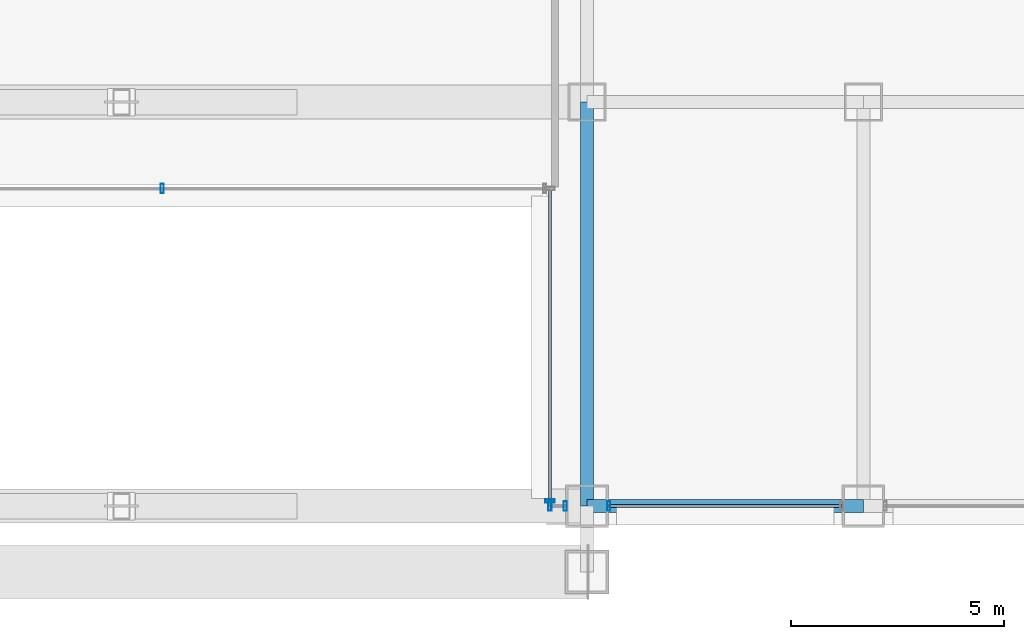
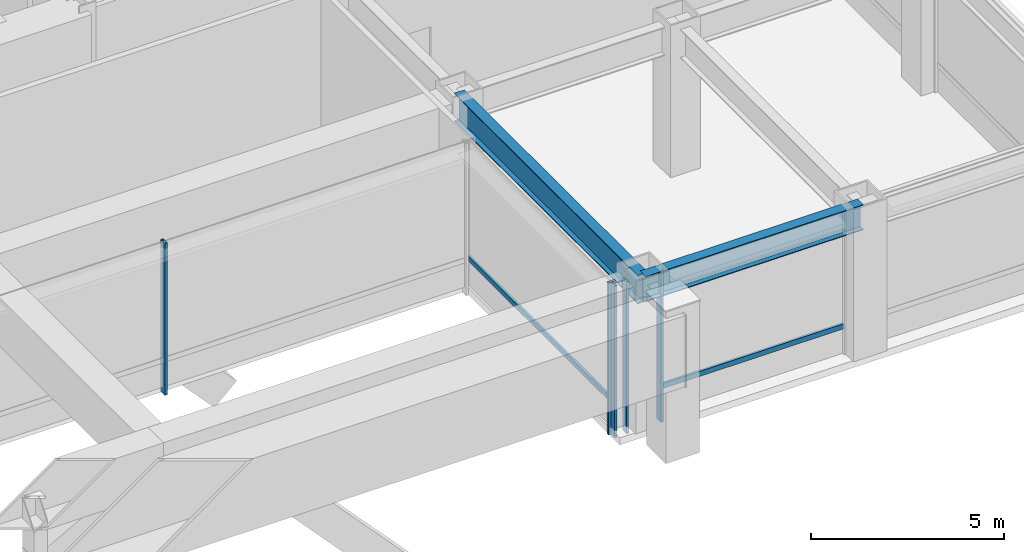
# One storey, part 8 of 37: 7 members, 2 beams, 4 elements without a shape of their own.
"""IFC4 building model written with IfcOpenShell, lengths in metres."""

import ifcopenshell
import ifcopenshell.guid

model = None  # the IFC model being written
_history = None  # IfcOwnerHistory: only IFC2X3 demands one
_inside = {}  # id of a spatial element -> (the spatial element, [elements in it])
_under = {}  # id of a project, library or spatial element -> (it, [spatial elements below it])
_declared = {}  # id of a project -> (the project, [libraries it declares])
_typed = {}  # id of a type object -> (the type object, [elements of that type])
_made_of = {}  # id of a material, layer set ... -> (it, [elements and type objects made of it])


def new_model(schema):
    """Start an empty IFC model of exactly this schema.

    Asked for "IFC4X3", IfcOpenShell would pick the latest addendum, in which some entities
    have other attributes; the version numbers below select the first issue.
    IFC2X3 requires an IfcOwnerHistory on every rooted entity: one is made here for all.
    """
    global model, _history
    if schema == "IFC4X3":
        model = ifcopenshell.file(schema_version=(4, 3, 0, 0))
    else:
        model = ifcopenshell.file(schema=schema)
    _inside.clear()
    _under.clear()
    _declared.clear()
    _typed.clear()
    _made_of.clear()
    _history = None
    if model.schema == "IFC2X3":
        org = make("IfcOrganization", Name="unknown")
        user = make(
            "IfcPersonAndOrganization",
            ThePerson=make("IfcPerson", FamilyName="unknown"),
            TheOrganization=org,
        )
        app = make(
            "IfcApplication",
            ApplicationDeveloper=org,
            Version="unknown",
            ApplicationFullName="unknown",
            ApplicationIdentifier="unknown",
        )
        _history = make(
            "IfcOwnerHistory",
            OwningUser=user,
            OwningApplication=app,
            ChangeAction="ADDED",
            CreationDate=0,
        )
    return model


def make(cls, **values):
    """One entity of the class cls with the attributes given. An attribute that is None is left unset."""
    return model.create_entity(
        cls, **{name: value for name, value in values.items() if value is not None}
    )


def rooted(cls, **values):
    """An entity with a GlobalId (a new one), such as an element, a storey or a relation."""
    return make(cls, GlobalId=ifcopenshell.guid.new(), OwnerHistory=_history, **values)


def si_unit(unit_type, name, prefix=None):
    """IfcSIUnit, for example si_unit("LENGTHUNIT", "METRE", prefix="MILLI")."""
    return make("IfcSIUnit", UnitType=unit_type, Prefix=prefix, Name=name)


def assignment(units):
    """IfcUnitAssignment: the units of a project."""
    return None if units is None else make("IfcUnitAssignment", Units=units)


def point(xyz):
    """IfcCartesianPoint."""
    return None if xyz is None else make("IfcCartesianPoint", Coordinates=xyz)


def direction(xyz):
    """IfcDirection."""
    return None if xyz is None else make("IfcDirection", DirectionRatios=xyz)


def frame(location, z_axis=None, x_axis=None):
    """IfcAxis2Placement3D, a coordinate frame: its origin and axes. An axis left out is left unset."""
    return make(
        "IfcAxis2Placement3D",
        Location=point(location),
        Axis=direction(z_axis),
        RefDirection=direction(x_axis),
    )


def frame_2d(location, x_axis=None):
    """IfcAxis2Placement2D, a coordinate frame in the plane: its origin and x axis."""
    return make(
        "IfcAxis2Placement2D", Location=point(location), RefDirection=direction(x_axis)
    )


def origin():
    """The frame at (0, 0, 0) with its axes left unset."""
    return frame((0.0, 0.0, 0.0))


def origin_2d():
    """The frame at (0, 0) in the plane with its x axis left unset."""
    return frame_2d((0.0, 0.0))


def place(relative_to, where):
    """IfcLocalPlacement: puts the frame where relative to a parent placement (None: the world)."""
    return make(
        "IfcLocalPlacement", PlacementRelTo=relative_to, RelativePlacement=where
    )


def context(
    kind, dimensions, precision=None, world=None, true_north=None, identifier=None
):
    """IfcGeometricRepresentationContext, for example the 3D "Model" context."""
    return make(
        "IfcGeometricRepresentationContext",
        ContextIdentifier=identifier,
        ContextType=kind,
        CoordinateSpaceDimension=dimensions,
        Precision=precision,
        WorldCoordinateSystem=world,
        TrueNorth=true_north,
    )


def subcontext(parent, identifier, kind, view, scale=None):
    """IfcGeometricRepresentationSubContext, for example "Body" below "Model"."""
    return make(
        "IfcGeometricRepresentationSubContext",
        ContextIdentifier=identifier,
        ContextType=kind,
        ParentContext=parent,
        TargetScale=scale,
        TargetView=view,
    )


def project(units=None, contexts=None):
    """IfcProject with its units and contexts."""
    return rooted(
        "IfcProject",
        Name="project",
        RepresentationContexts=contexts,
        UnitsInContext=assignment(units),
    )


def spatial(cls, under=None, at=None, **own):
    """A site, building, storey or space (cls), placed at a placement, below another one or the project."""
    s = rooted(cls, ObjectPlacement=at, **own)
    if under is not None:
        _under.setdefault(under.id(), (under, []))[1].append(s)
    return s


def profile(cls, at=None, kind="AREA", **sizes):
    """A parametric profile (cls). Its sizes go by their IFC names, for example OverallWidth=200.0."""
    return make(cls, ProfileType=kind, Position=at, **sizes)


def hollow_rectangle(**sizes):
    """IfcRectangleHollowProfileDef."""
    return profile("IfcRectangleHollowProfileDef", **sizes)


def i_section(**sizes):
    """IfcIShapeProfileDef."""
    return profile("IfcIShapeProfileDef", **sizes)


def extrude(swept, where, along, depth):
    """IfcExtrudedAreaSolid: the profile swept, set in the frame where, extruded along a direction by depth."""
    return make(
        "IfcExtrudedAreaSolid",
        SweptArea=swept,
        Position=where,
        ExtrudedDirection=direction(along),
        Depth=depth,
    )


def shape(context_of_items, identifier, shape_type, items):
    """IfcShapeRepresentation: the items that make up one representation, for example the "Body"."""
    return make(
        "IfcShapeRepresentation",
        ContextOfItems=context_of_items,
        RepresentationIdentifier=identifier,
        RepresentationType=shape_type,
        Items=items,
    )


def material(Name=None, Category=None):
    """IfcMaterial."""
    return make("IfcMaterial", Name=Name, Category=Category)


def layer(
    of_material, thickness, ventilated=None, Name=None, Category=None, Priority=None
):
    """IfcMaterialLayer: one layer of a wall or slab, of a material (None: an air gap)."""
    return make(
        "IfcMaterialLayer",
        Material=of_material,
        LayerThickness=thickness,
        IsVentilated=ventilated,
        Name=Name,
        Category=Category,
        Priority=Priority,
    )


def layer_set(layers, Name=None):
    """IfcMaterialLayerSet."""
    return make("IfcMaterialLayerSet", MaterialLayers=layers, LayerSetName=Name)


def material_profile(
    of_material, cross_section, Name=None, Category=None, Priority=None
):
    """IfcMaterialProfile: a cross section and its material."""
    return make(
        "IfcMaterialProfile",
        Name=Name,
        Material=of_material,
        Profile=cross_section,
        Priority=Priority,
        Category=Category,
    )


def profile_set(profiles, Name=None, composite=None):
    """IfcMaterialProfileSet."""
    return make(
        "IfcMaterialProfileSet",
        Name=Name,
        MaterialProfiles=profiles,
        CompositeProfile=composite,
    )


def made_of(thing, what):
    """Note that an element or type object is made of a material, layer set ...; save() writes the relation."""
    if what is not None:
        _made_of.setdefault(what.id(), (what, []))[1].append(thing)
    return thing


def type_object(cls, material=None, **own):
    """A type object (cls), such as IfcWallType, which elements share."""
    return made_of(rooted(cls, **own), material)


def element(
    cls,
    number,
    at=None,
    inside=None,
    cuts=None,
    type_object=None,
    material=None,
    context=None,
    identifier="Body",
    shape_type=None,
    held_by="IfcProductDefinitionShape",
    body=None,
    shapes=None,
    **own,
):
    """One element of the class cls, such as IfcWall. Its Tag is "e" and its number.

    at: its placement. inside: the storey or other place that contains it. cuts: it is an
    opening in that element (IfcRelVoidsElement). A single representation is given by context,
    identifier, shape_type and body (its items); several are given by shapes. held_by: the class
    of the entity that holds the representations. save() writes the other relations.
    """
    e = rooted(cls, Tag="e%d" % number, ObjectPlacement=at, **own)
    if body is not None:
        shapes = [shape(context, identifier, shape_type, body)]
    if shapes is not None:
        e.Representation = make(held_by, Representations=shapes)
    if inside is not None:
        _inside.setdefault(inside.id(), (inside, []))[1].append(e)
    if cuts is not None:
        rooted(
            "IfcRelVoidsElement", RelatingBuildingElement=cuts, RelatedOpeningElement=e
        )
    if type_object is not None:
        _typed.setdefault(type_object.id(), (type_object, []))[1].append(e)
    return made_of(e, material)


def aggregate(whole, parts):
    """IfcRelAggregates: a whole, such as a stair, and the parts it consists of."""
    return rooted("IfcRelAggregates", RelatingObject=whole, RelatedObjects=parts)


def save(model, path):
    """Write the relations noted so far, then the file.

    IfcRelAggregates (storeys below a building ...), IfcRelContainedInSpatialStructure (elements
    in a storey), IfcRelDefinesByType, IfcRelAssociatesMaterial and IfcRelDeclares: one each for
    every whole, place, type object, material and project.
    """
    for whole, parts in _under.values():
        aggregate(whole, parts)
    for where, things in _inside.values():
        rooted(
            "IfcRelContainedInSpatialStructure",
            RelatedElements=things,
            RelatingStructure=where,
        )
    for kind, things in _typed.values():
        rooted("IfcRelDefinesByType", RelatedObjects=things, RelatingType=kind)
    for what, things in _made_of.values():
        rooted("IfcRelAssociatesMaterial", RelatedObjects=things, RelatingMaterial=what)
    for by, libraries in _declared.values():
        rooted("IfcRelDeclares", RelatingContext=by, RelatedDefinitions=libraries)
    model.write(path)


model = new_model("IFC4")

# Units and contexts
model_context = context("Model", 3, precision=1e-05, world=origin(), true_north=direction((0.0, 1.0)))
body_context = subcontext(model_context, "Body", "Model", "MODEL_VIEW")
ifc_project = project(units=[si_unit("LENGTHUNIT", "METRE"), si_unit("AREAUNIT", "SQUARE_METRE"), si_unit("VOLUMEUNIT", "CUBIC_METRE"), si_unit("PLANEANGLEUNIT", "RADIAN"), si_unit("MASSUNIT", "GRAM", prefix="KILO")], contexts=[model_context])

# Site, building, storey
site_placement = place(None, origin())
site = spatial("IfcSite", under=ifc_project, at=site_placement, CompositionType="ELEMENT")
building_placement = place(site_placement, origin())
building = spatial("IfcBuilding", under=site, at=building_placement, Name="Brelmoor Portico Tower", CompositionType="ELEMENT")
storey_placement = place(building_placement, frame((0.0, 0.0, 14.39990234375)))
storey = spatial("IfcBuildingStorey", under=building, at=storey_placement, Name="L03", CompositionType="ELEMENT", Elevation=14.39990234375)

# Beams
ifc_material_1 = material(Name="Steel Q355B", Category="steel")
ifc_material_profile_1 = material_profile(ifc_material_1, i_section(OverallWidth=0.300048828125, OverallDepth=0.89990234375, WebThickness=0.01611328125, FlangeThickness=0.028076171875, at=origin_2d()), Name="HN 900x300x16x28")
ifc_profile_set_1 = profile_set([ifc_material_profile_1], Name="Steel Q355B")
beam_type_1 = type_object("IfcBeamType", Name="BM-PG-900", PredefinedType="BEAM", material=ifc_profile_set_1)
beam_1_placement = place(storey_placement, frame((14.550048828125, -27.550048828125, 4.130126953125), z_axis=(0.0, 1.0, 0.0), x_axis=(-1.0, 0.0, 0.0)))
element("IfcBeam", 1, at=beam_1_placement, inside=storey, type_object=beam_type_1, Name="L03 Primary Floor Girder PG-12", PredefinedType="BEAM", context=body_context, shape_type="SweptSolid", body=[
    extrude(i_section(OverallWidth=0.300048828125, OverallDepth=0.89990234375, WebThickness=0.01611328125, FlangeThickness=0.028076171875, at=origin_2d()), origin(), (0.0, 0.0, 1.0), 9.5),
])
ifc_material_profile_2 = material_profile(ifc_material_1, i_section(OverallWidth=0.300048828125, OverallDepth=0.800048828125, WebThickness=0.013916015625, FlangeThickness=0.02587890625, at=origin_2d()), Name="HN 800x300x14x26")
ifc_profile_set_2 = profile_set([ifc_material_profile_2], Name="Steel Q355B")
beam_type_2 = type_object("IfcBeamType", Name="BM-SP-800", PredefinedType="SPANDREL", material=ifc_profile_set_2)
beam_2_placement = place(storey_placement, frame((14.550048828125, -27.550048828125, 4.18017578125), z_axis=(1.0, 0.0, 0.0), x_axis=(0.0, 1.0, 0.0)))
element("IfcBeam", 2, at=beam_2_placement, inside=storey, type_object=beam_type_2, Name="L03 Perimeter Spandrel Beam SP-04", PredefinedType="SPANDREL", context=body_context, shape_type="SweptSolid", body=[
    extrude(i_section(OverallWidth=0.300048828125, OverallDepth=0.800048828125, WebThickness=0.013916015625, FlangeThickness=0.02587890625, at=origin_2d()), origin(), (0.0, 0.0, 1.0), 6.5),
])

# Curtain wall, members
ifc_material_2 = material(Name="Anodised Aluminium Alloy 6063-T6", Category="aluminium")
ifc_layer = layer(ifc_material_2, 0.179931640625)
ifc_layer_set = layer_set([ifc_layer], Name="Anodised Aluminium Alloy 6063-T6")
curtain_wall_type = type_object("IfcCurtainWallType", Name="CW-PODIUM-ARCH", PredefinedType="NOTDEFINED", material=ifc_layer_set)
curtain_wall_1_placement = place(storey_placement, origin())
curtain_wall_1 = element("IfcCurtainWall", 3, at=curtain_wall_1_placement, inside=storey, type_object=curtain_wall_type, Name="L03 Curtain Wall CW-L03-02-1", PredefinedType="NOTDEFINED")
ifc_material_profile_3 = material_profile(ifc_material_2, hollow_rectangle(XDim=0.074951171875, YDim=0.219970703125, WallThickness=0.0048828125, at=origin_2d()), Name="ALU MULLION 75x220")
ifc_profile_set_3 = profile_set([ifc_material_profile_3], Name="Anodised Aluminium Alloy 6063-T6")
member_type_1 = type_object("IfcMemberType", Name="MB-CW-MULL-220", PredefinedType="MULLION", material=ifc_profile_set_3)
member_1_placement = place(storey_placement, frame((13.679931640625, -27.550048828125, -0.219970703125), z_axis=(0.0, 0.0, 1.0), x_axis=(1.0, 0.0, 0.0)))
member_1 = element("IfcMember", 4, at=member_1_placement, type_object=member_type_1, Name="CW-L03-02-1 Mullion 00", PredefinedType="MULLION", context=body_context, shape_type="SweptSolid", body=[
    extrude(hollow_rectangle(XDim=0.074951171875, YDim=0.219970703125, WallThickness=0.0048828125, at=origin_2d()), origin(), (0.0, 0.0, 1.0), 4.800048828125),
])
member_2_placement = place(storey_placement, frame((14.0400390625, -27.550048828125, -0.219970703125), z_axis=(0.0, 0.0, 1.0), x_axis=(1.0, 0.0, 0.0)))
member_2 = element("IfcMember", 5, at=member_2_placement, type_object=member_type_1, Name="CW-L03-02-1 Mullion 01", PredefinedType="MULLION", context=body_context, shape_type="SweptSolid", body=[
    extrude(hollow_rectangle(XDim=0.074951171875, YDim=0.219970703125, WallThickness=0.0048828125, at=origin_2d()), origin(), (0.0, 0.0, 1.0), 4.800048828125),
])
aggregate(curtain_wall_1, [member_1, member_2])

# Curtain wall, member
curtain_wall_2_placement = place(storey_placement, origin())
curtain_wall_2 = element("IfcCurtainWall", 6, at=curtain_wall_2_placement, inside=storey, type_object=curtain_wall_type, Name="L03 Curtain Wall CW-L03-02-2", PredefinedType="NOTDEFINED")
member_3_placement = place(storey_placement, frame((15.06005859375, -27.550048828125, -0.219970703125), z_axis=(0.0, 0.0, 1.0), x_axis=(1.0, 0.0, 0.0)))
member_3 = element("IfcMember", 7, at=member_3_placement, type_object=member_type_1, Name="CW-L03-02-2 Mullion 00", PredefinedType="MULLION", context=body_context, shape_type="SweptSolid", body=[
    extrude(hollow_rectangle(XDim=0.074951171875, YDim=0.219970703125, WallThickness=0.0048828125, at=origin_2d()), origin(), (0.0, 0.0, 1.0), 4.800048828125),
])

curtain_wall_3_placement = place(storey_placement, origin())
curtain_wall_3 = element("IfcCurtainWall", 8, at=curtain_wall_3_placement, inside=storey, type_object=curtain_wall_type, Name="L03 Curtain Wall CW-L03-04", PredefinedType="NOTDEFINED")
member_4_placement = place(storey_placement, frame((13.679931640625, -27.429931640625, -0.219970703125), z_axis=(0.0, 0.0, 1.0), x_axis=(0.0, 1.0, 0.0)))
member_4 = element("IfcMember", 9, at=member_4_placement, type_object=member_type_1, Name="CW-L03-04 Mullion 00", PredefinedType="MULLION", context=body_context, shape_type="SweptSolid", body=[
    extrude(hollow_rectangle(XDim=0.074951171875, YDim=0.219970703125, WallThickness=0.0048828125, at=origin_2d()), origin(), (0.0, 0.0, 1.0), 4.800048828125),
])

curtain_wall_4_placement = place(storey_placement, origin())
curtain_wall_4 = element("IfcCurtainWall", 10, at=curtain_wall_4_placement, inside=storey, type_object=curtain_wall_type, Name="L03 Curtain Wall CW-L03-05", PredefinedType="NOTDEFINED")
member_5_placement = place(storey_placement, frame((4.56005859375, -20.080078125, -0.219970703125), z_axis=(0.0, 0.0, 1.0), x_axis=(1.0, 0.0, 0.0)))
member_5 = element("IfcMember", 11, at=member_5_placement, type_object=member_type_1, Name="CW-L03-05 Mullion 02", PredefinedType="MULLION", context=body_context, shape_type="SweptSolid", body=[
    extrude(hollow_rectangle(XDim=0.074951171875, YDim=0.219970703125, WallThickness=0.0048828125, at=origin_2d()), origin(), (0.0, 0.0, 1.0), 4.800048828125),
])
aggregate(curtain_wall_4, [member_5])

# Member
ifc_material_profile_4 = material_profile(ifc_material_2, hollow_rectangle(XDim=0.070068359375, YDim=0.159912109375, WallThickness=0.00390625, at=origin_2d()), Name="ALU TRANSOM 70x160")
ifc_profile_set_4 = profile_set([ifc_material_profile_4], Name="Anodised Aluminium Alloy 6063-T6")
member_type_2 = type_object("IfcMemberType", Name="MB-CW-TRAN-160", PredefinedType="USERDEFINED", material=ifc_profile_set_4)
member_6_placement = place(storey_placement, frame((15.06005859375, -27.550048828125, 0.85009765625), z_axis=(1.0, 0.0, 0.0), x_axis=(0.0, 1.0, 0.0)))
member_6 = element("IfcMember", 12, at=member_6_placement, type_object=member_type_2, Name="CW-L03-02-2 Transom 1-00", ObjectType="TRANSOM", PredefinedType="USERDEFINED", context=body_context, shape_type="SweptSolid", body=[
    extrude(hollow_rectangle(XDim=0.070068359375, YDim=0.159912109375, WallThickness=0.00390625, at=origin_2d()), origin(), (0.0, 0.0, 1.0), 5.47998046875),
])

aggregate(curtain_wall_2, [member_3, member_6])

member_7_placement = place(storey_placement, frame((13.679931640625, -27.550048828125, 0.85009765625), z_axis=(0.0, 1.0, 0.0), x_axis=(-1.0, 0.0, 0.0)))
member_7 = element("IfcMember", 13, at=member_7_placement, type_object=member_type_2, Name="CW-L03-04 Transom 1-00", ObjectType="TRANSOM", PredefinedType="USERDEFINED", context=body_context, shape_type="SweptSolid", body=[
    extrude(hollow_rectangle(XDim=0.070068359375, YDim=0.159912109375, WallThickness=0.00390625, at=origin_2d()), origin(), (0.0, 0.0, 1.0), 7.469970703125),
])

aggregate(curtain_wall_3, [member_4, member_7])

save(model, "model.ifc")
